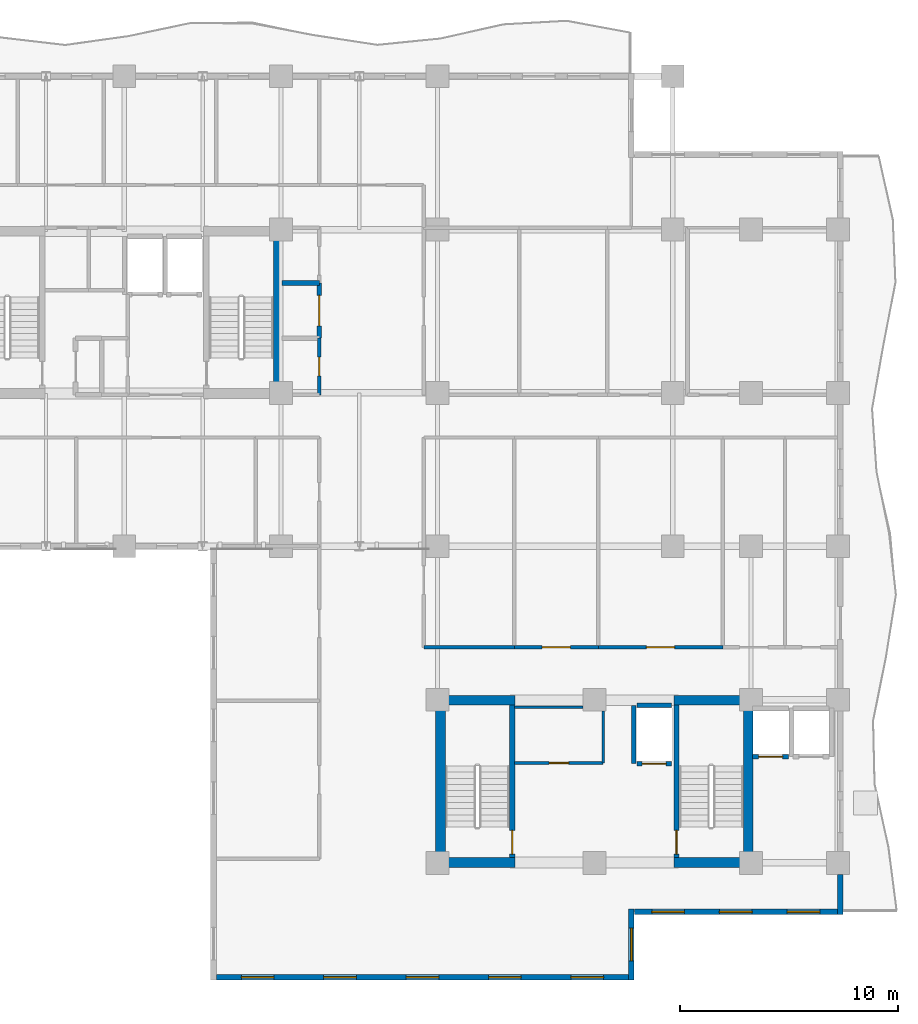
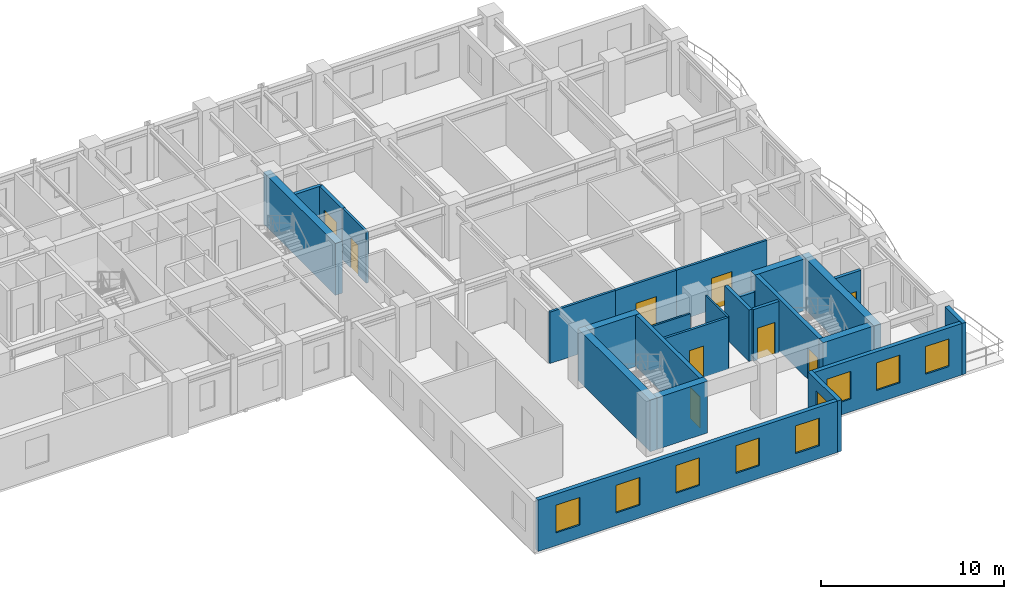
# One storey, part 6 of 13: 26 walls, 9 doors, 9 windows, 18 openings.
"""IFC4 building model written with IfcOpenShell, lengths in metres."""

from ifc_helpers import new_model, si_unit, direction, frame, frame_2d, origin, place, context, subcontext, project, spatial, rectangle, extrude, material, layer, layer_set, type_object, element, fill, save


model = new_model("IFC4")

# Units and contexts
model_context = context("Model", 3, precision=1e-05, world=origin(), true_north=direction((0.0, 1.0)))
body_context = subcontext(model_context, "Body", "Model", "MODEL_VIEW")
ifc_project = project(units=[si_unit("LENGTHUNIT", "METRE"), si_unit("AREAUNIT", "SQUARE_METRE"), si_unit("VOLUMEUNIT", "CUBIC_METRE"), si_unit("PLANEANGLEUNIT", "RADIAN"), si_unit("MASSUNIT", "GRAM", prefix="KILO")], contexts=[model_context])

# Site, building, storey
site_placement = place(None, origin())
site = spatial("IfcSite", under=ifc_project, at=site_placement, CompositionType="ELEMENT")
building_placement = place(site_placement, origin())
building = spatial("IfcBuilding", under=site, at=building_placement, Name="Kaliganga Portal Commons", CompositionType="ELEMENT")
storey_placement = place(building_placement, frame((0.0, 0.0, 173.5)))
storey = spatial("IfcBuildingStorey", under=building, at=storey_placement, Name="L44", CompositionType="ELEMENT", Elevation=173.5)

# Walls
ifc_material_1 = material(Name="Concrete C60/75", Category="concrete")
ifc_layer_1 = layer(ifc_material_1, 0.449951171875)
ifc_layer_set_1 = layer_set([ifc_layer_1], Name="Concrete C60/75")
wall_type_1 = type_object("IfcWallType", Name="WL-CORE-450", PredefinedType="SHEAR", material=ifc_layer_set_1)
wall_1_placement = place(storey_placement, frame((28.675048828125, 28.39990234375, 0.0), z_axis=(0.0, 0.0, 1.0), x_axis=(0.0, 1.0, 0.0)))
element("IfcWall", 1, at=wall_1_placement, inside=storey, type_object=wall_type_1, Name="Core A East Shear Wall L44", PredefinedType="SHEAR", context=body_context, shape_type="SweptSolid", body=[
    extrude(rectangle(XDim=7.900146484375, YDim=0.449951171875, at=frame_2d((3.9501953125, 0.0))), origin(), (0.0, 0.0, 1.0), 3.4599609375),
])
for number, where, z_axis, x_axis, name in (
    (2, (36.125, 6.85009765625, 0.0), (0.0, 0.0, 1.0), (0.0, 1.0, 0.0), "Core B West Shear Wall L44"),
    (3, (50.27490234375, 6.85009765625, 0.0), (0.0, 0.0, 1.0), (0.0, 1.0, 0.0), "Core B East Shear Wall L44"),
):
    element("IfcWall", number, at=place(storey_placement, frame(where, z_axis=z_axis, x_axis=x_axis)), inside=storey, type_object=wall_type_1, Name=name, PredefinedType="SHEAR", context=body_context, shape_type="SweptSolid", body=[
        extrude(rectangle(XDim=7.89990234375, YDim=0.449951171875, at=frame_2d((3.949951171875, 0.0))), origin(), (0.0, 0.0, 1.0), 3.4599609375),
    ])
for number, where, z_axis, x_axis, name in (
    (4, (36.35009765625, 7.074951171875, 0.0), (0.0, 0.0, 1.0), (1.0, 0.0, 0.0), "Core B S-West Shear Wall L44"),
    (5, (46.85009765625, 7.074951171875, 0.0), (0.0, 0.0, 1.0), (1.0, 0.0, 0.0), "Core B S-East Shear Wall L44"),
    (6, (36.35009765625, 14.52490234375, 0.0), (0.0, 0.0, 1.0), (1.0, 0.0, 0.0), "Core B N-West Shear Wall L44"),
    (7, (46.85009765625, 14.52490234375, 0.0), (0.0, 0.0, 1.0), (1.0, 0.0, 0.0), "Core B N-East Shear Wall L44"),
):
    element("IfcWall", number, at=place(storey_placement, frame(where, z_axis=z_axis, x_axis=x_axis)), inside=storey, type_object=wall_type_1, Name=name, PredefinedType="SHEAR", context=body_context, shape_type="SweptSolid", body=[
        extrude(rectangle(XDim=3.199951171875, YDim=0.449951171875, at=frame_2d((1.60009765625, 0.0))), origin(), (0.0, 0.0, 1.0), 3.4599609375),
    ])

# Wall, openings, windows
ifc_material_2 = material(Name="Insulated Aluminium-Clad Spandrel Assembly", Category="aluminium")
ifc_layer_2 = layer(ifc_material_2, 0.260009765625)
ifc_layer_set_2 = layer_set([ifc_layer_2], Name="Insulated Aluminium-Clad Spandrel Assembly")
wall_type_2 = type_object("IfcWallType", Name="WL-EXT-SPAND-260", PredefinedType="STANDARD", material=ifc_layer_set_2)
wall_2_placement = place(storey_placement, frame((44.764892578125, 1.800048828125, 0.0), z_axis=(0.0, 0.0, 1.0), x_axis=(-1.0, 0.0, 0.0)))
wall_2 = element("IfcWall", 8, at=wall_2_placement, inside=storey, type_object=wall_type_2, Name="Exterior Envelope Wall L44 P1-E00-S1", PredefinedType="STANDARD", context=body_context, shape_type="SweptSolid", body=[
    extrude(rectangle(XDim=18.929931640625, YDim=0.260009765625, at=frame_2d((9.46484375, 0.0))), origin(), (0.0, 0.0, 1.0), 3.43994140625),
])
opening_1_placement = place(wall_2_placement, frame((1.14306640625, 0.0, 0.85009765625)))
opening_1 = element("IfcOpeningElement", 9, at=opening_1_placement, cuts=wall_2, Name="Opening W-02", PredefinedType="OPENING", context=body_context, shape_type="SweptSolid", body=[
    extrude(rectangle(XDim=1.5, YDim=1.85009765625, at=frame_2d((0.75, 0.925048828125))), frame((0.0, 0.14013671875, 0.0), z_axis=(0.0, -1.0, 0.0), x_axis=(1.0, 0.0, 0.0)), (0.0, 0.0, 1.0), 0.280029296875),
])
opening_2_placement = place(wall_2_placement, frame((4.928955078125, 0.0, 0.85009765625)))
opening_2 = element("IfcOpeningElement", 10, at=opening_2_placement, cuts=wall_2, Name="Opening W-02", PredefinedType="OPENING", context=body_context, shape_type="SweptSolid", body=[
    extrude(rectangle(XDim=1.5, YDim=1.85009765625, at=frame_2d((0.75, 0.925048828125))), frame((0.0, 0.14013671875, 0.0), z_axis=(0.0, -1.0, 0.0), x_axis=(1.0, 0.0, 0.0)), (0.0, 0.0, 1.0), 0.280029296875),
])
opening_3_placement = place(wall_2_placement, frame((8.715087890625, 0.0, 0.85009765625)))
opening_3 = element("IfcOpeningElement", 11, at=opening_3_placement, cuts=wall_2, Name="Opening W-02", PredefinedType="OPENING", context=body_context, shape_type="SweptSolid", body=[
    extrude(rectangle(XDim=1.5, YDim=1.85009765625, at=frame_2d((0.75, 0.925048828125))), frame((0.0, 0.14013671875, 0.0), z_axis=(0.0, -1.0, 0.0), x_axis=(1.0, 0.0, 0.0)), (0.0, 0.0, 1.0), 0.280029296875),
])
opening_4_placement = place(wall_2_placement, frame((12.5009765625, 0.0, 0.85009765625)))
opening_4 = element("IfcOpeningElement", 12, at=opening_4_placement, cuts=wall_2, Name="Opening W-02", PredefinedType="OPENING", context=body_context, shape_type="SweptSolid", body=[
    extrude(rectangle(XDim=1.5, YDim=1.85009765625, at=frame_2d((0.75, 0.925048828125))), frame((0.0, 0.14013671875, 0.0), z_axis=(0.0, -1.0, 0.0), x_axis=(1.0, 0.0, 0.0)), (0.0, 0.0, 1.0), 0.280029296875),
])
opening_5_placement = place(wall_2_placement, frame((16.287109375, 0.0, 0.85009765625)))
opening_5 = element("IfcOpeningElement", 13, at=opening_5_placement, cuts=wall_2, Name="Opening W-02", PredefinedType="OPENING", context=body_context, shape_type="SweptSolid", body=[
    extrude(rectangle(XDim=1.5, YDim=1.85009765625, at=frame_2d((0.75, 0.925048828125))), frame((0.0, 0.14013671875, 0.0), z_axis=(0.0, -1.0, 0.0), x_axis=(1.0, 0.0, 0.0)), (0.0, 0.0, 1.0), 0.280029296875),
])
ifc_material_3 = material(Name="Thermally Broken Aluminium and Low-E Double Glazing", Category="aluminium")
window_type = type_object("IfcWindowType", Name="WIN-STD-1500", PartitioningType="DOUBLE_PANEL_VERTICAL", PredefinedType="WINDOW", material=ifc_material_3)
window_1_placement = place(opening_1_placement, origin())
window_1 = element("IfcWindow", 14, at=window_1_placement, inside=storey, type_object=window_type, Name="Facade Window L44-P1E00S1-00", OverallHeight=1.85009765625, OverallWidth=1.5, PartitioningType="SINGLE_PANEL", PredefinedType="WINDOW", context=body_context, shape_type="SweptSolid", body=[
    extrude(rectangle(XDim=1.5, YDim=1.85009765625, at=frame_2d((0.75, 0.925048828125))), frame((0.0, 0.030029296875, 0.0), z_axis=(0.0, -1.0, 0.0), x_axis=(1.0, 0.0, 0.0)), (0.0, 0.0, 1.0), 0.06005859375),
])
fill(opening_1, window_1)
window_2_placement = place(opening_2_placement, origin())
window_2 = element("IfcWindow", 15, at=window_2_placement, inside=storey, type_object=window_type, Name="Facade Window L44-P1E00S1-01", OverallHeight=1.85009765625, OverallWidth=1.5, PartitioningType="SINGLE_PANEL", PredefinedType="WINDOW", context=body_context, shape_type="SweptSolid", body=[
    extrude(rectangle(XDim=1.5, YDim=1.85009765625, at=frame_2d((0.75, 0.925048828125))), frame((0.0, 0.030029296875, 0.0), z_axis=(0.0, -1.0, 0.0), x_axis=(1.0, 0.0, 0.0)), (0.0, 0.0, 1.0), 0.06005859375),
])
fill(opening_2, window_2)
window_3_placement = place(opening_3_placement, origin())
window_3 = element("IfcWindow", 16, at=window_3_placement, inside=storey, type_object=window_type, Name="Facade Window L44-P1E00S1-02", OverallHeight=1.85009765625, OverallWidth=1.5, PartitioningType="SINGLE_PANEL", PredefinedType="WINDOW", context=body_context, shape_type="SweptSolid", body=[
    extrude(rectangle(XDim=1.5, YDim=1.85009765625, at=frame_2d((0.75, 0.925048828125))), frame((0.0, 0.030029296875, 0.0), z_axis=(0.0, -1.0, 0.0), x_axis=(1.0, 0.0, 0.0)), (0.0, 0.0, 1.0), 0.06005859375),
])
fill(opening_3, window_3)
window_4_placement = place(opening_4_placement, origin())
window_4 = element("IfcWindow", 17, at=window_4_placement, inside=storey, type_object=window_type, Name="Facade Window L44-P1E00S1-03", OverallHeight=1.85009765625, OverallWidth=1.5, PartitioningType="SINGLE_PANEL", PredefinedType="WINDOW", context=body_context, shape_type="SweptSolid", body=[
    extrude(rectangle(XDim=1.5, YDim=1.85009765625, at=frame_2d((0.75, 0.925048828125))), frame((0.0, 0.030029296875, 0.0), z_axis=(0.0, -1.0, 0.0), x_axis=(1.0, 0.0, 0.0)), (0.0, 0.0, 1.0), 0.06005859375),
])
fill(opening_4, window_4)
window_5_placement = place(opening_5_placement, origin())
window_5 = element("IfcWindow", 18, at=window_5_placement, inside=storey, type_object=window_type, Name="Facade Window L44-P1E00S1-04", OverallHeight=1.85009765625, OverallWidth=1.5, PartitioningType="SINGLE_PANEL", PredefinedType="WINDOW", context=body_context, shape_type="SweptSolid", body=[
    extrude(rectangle(XDim=1.5, YDim=1.85009765625, at=frame_2d((0.75, 0.925048828125))), frame((0.0, 0.030029296875, 0.0), z_axis=(0.0, -1.0, 0.0), x_axis=(1.0, 0.0, 0.0)), (0.0, 0.0, 1.0), 0.06005859375),
])
fill(opening_5, window_5)

# Wall, opening, window
wall_3_placement = place(storey_placement, frame((44.89990234375, 4.929931640625, 0.0), z_axis=(0.0, 0.0, 1.0), x_axis=(0.0, -1.0, 0.0)))
wall_3 = element("IfcWall", 19, at=wall_3_placement, inside=storey, type_object=wall_type_2, Name="Exterior Envelope Wall L44 P1-E01-S1", PredefinedType="STANDARD", context=body_context, shape_type="SweptSolid", body=[
    extrude(rectangle(XDim=3.260009765625, YDim=0.260009765625, at=frame_2d((1.6298828125, 0.0))), origin(), (0.0, 0.0, 1.0), 3.43994140625),
])
opening_6_placement = place(wall_3_placement, frame((0.8798828125, 0.0, 0.85009765625)))
opening_6 = element("IfcOpeningElement", 20, at=opening_6_placement, cuts=wall_3, Name="Opening W-02", PredefinedType="OPENING", context=body_context, shape_type="SweptSolid", body=[
    extrude(rectangle(XDim=1.5, YDim=1.85009765625, at=frame_2d((0.75, 0.925048828125))), frame((0.0, 0.14013671875, 0.0), z_axis=(0.0, -1.0, 0.0), x_axis=(1.0, 0.0, 0.0)), (0.0, 0.0, 1.0), 0.280029296875),
])
window_6_placement = place(opening_6_placement, origin())
window_6 = element("IfcWindow", 21, at=window_6_placement, inside=storey, type_object=window_type, Name="Facade Window L44-P1E01S1-00", OverallHeight=1.85009765625, OverallWidth=1.5, PartitioningType="SINGLE_PANEL", PredefinedType="WINDOW", context=body_context, shape_type="SweptSolid", body=[
    extrude(rectangle(XDim=1.5, YDim=1.85009765625, at=frame_2d((0.75, 0.925048828125))), frame((0.0, 0.030029296875, 0.0), z_axis=(0.0, -1.0, 0.0), x_axis=(1.0, 0.0, 0.0)), (0.0, 0.0, 1.0), 0.06005859375),
])
fill(opening_6, window_6)

# Wall, openings, windows
wall_4_placement = place(storey_placement, frame((54.364990234375, 4.800048828125, 0.0), z_axis=(0.0, 0.0, 1.0), x_axis=(-1.0, 0.0, 0.0)))
wall_4 = element("IfcWall", 22, at=wall_4_placement, inside=storey, type_object=wall_type_2, Name="Exterior Envelope Wall L44 P1-E02-S1", PredefinedType="STANDARD", context=body_context, shape_type="SweptSolid", body=[
    extrude(rectangle(XDim=9.330078125, YDim=0.260009765625, at=frame_2d((4.6650390625, 0.0))), origin(), (0.0, 0.0, 1.0), 3.43994140625),
])
opening_7_placement = place(wall_4_placement, frame((0.804931640625, 0.0, 0.85009765625)))
opening_7 = element("IfcOpeningElement", 23, at=opening_7_placement, cuts=wall_4, Name="Opening W-02", PredefinedType="OPENING", context=body_context, shape_type="SweptSolid", body=[
    extrude(rectangle(XDim=1.5, YDim=1.85009765625, at=frame_2d((0.75, 0.925048828125))), frame((0.0, 0.14013671875, 0.0), z_axis=(0.0, -1.0, 0.0), x_axis=(1.0, 0.0, 0.0)), (0.0, 0.0, 1.0), 0.280029296875),
])
opening_8_placement = place(wall_4_placement, frame((3.9150390625, 0.0, 0.85009765625)))
opening_8 = element("IfcOpeningElement", 24, at=opening_8_placement, cuts=wall_4, Name="Opening W-02", PredefinedType="OPENING", context=body_context, shape_type="SweptSolid", body=[
    extrude(rectangle(XDim=1.5, YDim=1.85009765625, at=frame_2d((0.75, 0.925048828125))), frame((0.0, 0.14013671875, 0.0), z_axis=(0.0, -1.0, 0.0), x_axis=(1.0, 0.0, 0.0)), (0.0, 0.0, 1.0), 0.280029296875),
])
opening_9_placement = place(wall_4_placement, frame((7.02490234375, 0.0, 0.85009765625)))
opening_9 = element("IfcOpeningElement", 25, at=opening_9_placement, cuts=wall_4, Name="Opening W-02", PredefinedType="OPENING", context=body_context, shape_type="SweptSolid", body=[
    extrude(rectangle(XDim=1.5, YDim=1.85009765625, at=frame_2d((0.75, 0.925048828125))), frame((0.0, 0.14013671875, 0.0), z_axis=(0.0, -1.0, 0.0), x_axis=(1.0, 0.0, 0.0)), (0.0, 0.0, 1.0), 0.280029296875),
])
window_7_placement = place(opening_7_placement, origin())
window_7 = element("IfcWindow", 26, at=window_7_placement, inside=storey, type_object=window_type, Name="Facade Window L44-P1E02S1-00", OverallHeight=1.85009765625, OverallWidth=1.5, PartitioningType="SINGLE_PANEL", PredefinedType="WINDOW", context=body_context, shape_type="SweptSolid", body=[
    extrude(rectangle(XDim=1.5, YDim=1.85009765625, at=frame_2d((0.75, 0.925048828125))), frame((0.0, 0.030029296875, 0.0), z_axis=(0.0, -1.0, 0.0), x_axis=(1.0, 0.0, 0.0)), (0.0, 0.0, 1.0), 0.06005859375),
])
fill(opening_7, window_7)
window_8_placement = place(opening_8_placement, origin())
window_8 = element("IfcWindow", 27, at=window_8_placement, inside=storey, type_object=window_type, Name="Facade Window L44-P1E02S1-01", OverallHeight=1.85009765625, OverallWidth=1.5, PartitioningType="SINGLE_PANEL", PredefinedType="WINDOW", context=body_context, shape_type="SweptSolid", body=[
    extrude(rectangle(XDim=1.5, YDim=1.85009765625, at=frame_2d((0.75, 0.925048828125))), frame((0.0, 0.030029296875, 0.0), z_axis=(0.0, -1.0, 0.0), x_axis=(1.0, 0.0, 0.0)), (0.0, 0.0, 1.0), 0.06005859375),
])
fill(opening_8, window_8)
window_9_placement = place(opening_9_placement, origin())
window_9 = element("IfcWindow", 28, at=window_9_placement, inside=storey, type_object=window_type, Name="Facade Window L44-P1E02S1-02", OverallHeight=1.85009765625, OverallWidth=1.5, PartitioningType="SINGLE_PANEL", PredefinedType="WINDOW", context=body_context, shape_type="SweptSolid", body=[
    extrude(rectangle(XDim=1.5, YDim=1.85009765625, at=frame_2d((0.75, 0.925048828125))), frame((0.0, 0.030029296875, 0.0), z_axis=(0.0, -1.0, 0.0), x_axis=(1.0, 0.0, 0.0)), (0.0, 0.0, 1.0), 0.06005859375),
])
fill(opening_9, window_9)

# Wall
wall_5_placement = place(storey_placement, frame((54.5, 6.52392578125, 0.0), z_axis=(0.0, 0.0, 1.0), x_axis=(0.0, -1.0, 0.0)))
element("IfcWall", 29, at=wall_5_placement, inside=storey, type_object=wall_type_2, Name="Exterior Envelope Wall L44 P1-E03-S1", PredefinedType="STANDARD", context=body_context, shape_type="SweptSolid", body=[
    extrude(rectangle(XDim=1.85400390625, YDim=0.260009765625, at=frame_2d((0.927001953125, 0.0))), origin(), (0.0, 0.0, 1.0), 3.43994140625),
])

# Wall, opening, door
ifc_material_4 = material(Name="Fire-Rated Gypsum Board on Steel Stud", Category="steel")
ifc_layer_3 = layer(ifc_material_4, 0.14990234375)
ifc_layer_set_3 = layer_set([ifc_layer_3], Name="Fire-Rated Gypsum Board on Steel Stud")
wall_type_3 = type_object("IfcWallType", Name="WL-PART-CORR-150", PredefinedType="PARTITIONING", material=ifc_layer_set_3)
wall_6_placement = place(storey_placement, frame((43.3798828125, 16.9599609375, 0.0), z_axis=(0.0, 0.0, 1.0), x_axis=(1.0, 0.0, 0.0)))
wall_6 = element("IfcWall", 30, at=wall_6_placement, inside=storey, type_object=wall_type_3, Name="Interior Partition L44-017", PredefinedType="PARTITIONING", context=body_context, shape_type="SweptSolid", body=[
    extrude(rectangle(XDim=5.72021484375, YDim=0.14990234375, at=frame_2d((2.860107421875, 0.0))), origin(), (0.0, 0.0, 1.0), 3.43994140625),
])
opening_10_placement = place(wall_6_placement, frame((2.2099609375, 0.0, 0.0)))
opening_10 = element("IfcOpeningElement", 31, at=opening_10_placement, cuts=wall_6, Name="Opening RD-03", PredefinedType="OPENING", context=body_context, shape_type="SweptSolid", body=[
    extrude(rectangle(XDim=1.300048828125, YDim=2.1201171875, at=frame_2d((0.64990234375, 1.06005859375))), frame((0.0, 0.0849609375, 0.0), z_axis=(0.0, -1.0, 0.0), x_axis=(1.0, 0.0, 0.0)), (0.0, 0.0, 1.0), 0.169921875),
])
ifc_material_5 = material(Name="Glazed Timber Seminar Vision Door", Category="wood")
door_type_1 = type_object("IfcDoorType", Name="DR-STUDY-1300", OperationType="DOUBLE_DOOR_SINGLE_SWING", PredefinedType="DOOR", material=ifc_material_5)
door_1_placement = place(opening_10_placement, origin())
door_1 = element("IfcDoor", 32, at=door_1_placement, inside=storey, type_object=door_type_1, Name="Interior Door L44-BM03", OperationType="DOUBLE_DOOR_SINGLE_SWING", OverallHeight=2.1201171875, OverallWidth=1.300048828125, PredefinedType="DOOR", context=body_context, shape_type="SweptSolid", body=[
    extrude(rectangle(XDim=1.300048828125, YDim=2.1201171875, at=frame_2d((0.64990234375, 1.06005859375))), frame((0.0, 0.02490234375, 0.0), z_axis=(0.0, -1.0, 0.0), x_axis=(1.0, 0.0, 0.0)), (0.0, 0.0, 1.0), 0.050048828125),
])
fill(opening_10, door_1)

# Wall
wall_7_placement = place(storey_placement, frame((35.360107421875, 16.9599609375, 0.0), z_axis=(0.0, 0.0, 1.0), x_axis=(1.0, 0.0, 0.0)))
element("IfcWall", 33, at=wall_7_placement, inside=storey, type_object=wall_type_3, Name="Interior Partition L44-025", PredefinedType="PARTITIONING", context=body_context, shape_type="SweptSolid", body=[
    extrude(rectangle(XDim=4.159912109375, YDim=0.14990234375, at=frame_2d((2.080078125, 0.0))), origin(), (0.0, 0.0, 1.0), 3.43994140625),
])

# Wall, opening, door
wall_8_placement = place(storey_placement, frame((39.5400390625, 11.639892578125, 0.0), z_axis=(0.0, 0.0, 1.0), x_axis=(1.0, 0.0, 0.0)))
wall_8 = element("IfcWall", 34, at=wall_8_placement, inside=storey, type_object=wall_type_3, Name="Interior Partition L44-027", PredefinedType="PARTITIONING", context=body_context, shape_type="SweptSolid", body=[
    extrude(rectangle(XDim=4.06005859375, YDim=0.14990234375, at=frame_2d((2.030029296875, 0.0))), origin(), (0.0, 0.0, 1.0), 3.43994140625),
])
opening_11_placement = place(wall_8_placement, frame((1.580078125, 0.0, 0.0)))
opening_11 = element("IfcOpeningElement", 35, at=opening_11_placement, cuts=wall_8, Name="Opening RD-01", PredefinedType="OPENING", context=body_context, shape_type="SweptSolid", body=[
    extrude(rectangle(XDim=0.89990234375, YDim=2.080078125, at=frame_2d((0.449951171875, 1.0400390625))), frame((0.0, 0.0849609375, 0.0), z_axis=(0.0, -1.0, 0.0), x_axis=(1.0, 0.0, 0.0)), (0.0, 0.0, 1.0), 0.169921875),
])
ifc_material_6 = material(Name="Engineered Timber Flush Door", Category="wood")
door_type_2 = type_object("IfcDoorType", Name="DR-ROOM-900", OperationType="NOTDEFINED", PredefinedType="DOOR", material=ifc_material_6)
door_2_placement = place(opening_11_placement, origin())
door_2 = element("IfcDoor", 36, at=door_2_placement, inside=storey, type_object=door_type_2, Name="Interior Door L44-CREC_B1", OperationType="SINGLE_SWING_LEFT", OverallHeight=2.080078125, OverallWidth=0.89990234375, PredefinedType="DOOR", context=body_context, shape_type="SweptSolid", body=[
    extrude(rectangle(XDim=0.89990234375, YDim=2.080078125, at=frame_2d((0.449951171875, 1.0400390625))), frame((0.0, 0.02490234375, 0.0), z_axis=(0.0, -1.0, 0.0), x_axis=(1.0, 0.0, 0.0)), (0.0, 0.0, 1.0), 0.050048828125),
])
fill(opening_11, door_2)

wall_9_placement = place(storey_placement, frame((39.52001953125, 16.9599609375, 0.0), z_axis=(0.0, 0.0, 1.0), x_axis=(1.0, 0.0, 0.0)))
wall_9 = element("IfcWall", 37, at=wall_9_placement, inside=storey, type_object=wall_type_3, Name="Interior Partition L44-030", PredefinedType="PARTITIONING", context=body_context, shape_type="SweptSolid", body=[
    extrude(rectangle(XDim=3.85986328125, YDim=0.14990234375, at=frame_2d((1.929931640625, 0.0))), origin(), (0.0, 0.0, 1.0), 3.43994140625),
])
opening_12_placement = place(wall_9_placement, frame((1.280029296875, 0.0, 0.0)))
opening_12 = element("IfcOpeningElement", 38, at=opening_12_placement, cuts=wall_9, Name="Opening RD-03", PredefinedType="OPENING", context=body_context, shape_type="SweptSolid", body=[
    extrude(rectangle(XDim=1.300048828125, YDim=2.1201171875, at=frame_2d((0.64990234375, 1.06005859375))), frame((0.0, 0.0849609375, 0.0), z_axis=(0.0, -1.0, 0.0), x_axis=(1.0, 0.0, 0.0)), (0.0, 0.0, 1.0), 0.169921875),
])
door_3_placement = place(opening_12_placement, origin())
door_3 = element("IfcDoor", 39, at=door_3_placement, inside=storey, type_object=door_type_1, Name="Interior Door L44-BM02", OperationType="DOUBLE_DOOR_SINGLE_SWING", OverallHeight=2.1201171875, OverallWidth=1.300048828125, PredefinedType="DOOR", context=body_context, shape_type="SweptSolid", body=[
    extrude(rectangle(XDim=1.300048828125, YDim=2.1201171875, at=frame_2d((0.64990234375, 1.06005859375))), frame((0.0, 0.02490234375, 0.0), z_axis=(0.0, -1.0, 0.0), x_axis=(1.0, 0.0, 0.0)), (0.0, 0.0, 1.0), 0.050048828125),
])
fill(opening_12, door_3)

wall_10_placement = place(storey_placement, frame((30.56005859375, 28.56005859375, 0.0), z_axis=(0.0, 0.0, 1.0), x_axis=(0.0, 1.0, 0.0)))
wall_10 = element("IfcWall", 40, at=wall_10_placement, inside=storey, type_object=wall_type_3, Name="Interior Partition L44-042", PredefinedType="PARTITIONING", context=body_context, shape_type="SweptSolid", body=[
    extrude(rectangle(XDim=2.599853515625, YDim=0.14990234375, at=frame_2d((1.2998046875, 0.0))), origin(), (0.0, 0.0, 1.0), 3.43994140625),
])
opening_13_placement = place(wall_10_placement, frame((0.8701171875, 0.0, 0.0)))
opening_13 = element("IfcOpeningElement", 41, at=opening_13_placement, cuts=wall_10, Name="Opening WD-02", PredefinedType="OPENING", context=body_context, shape_type="SweptSolid", body=[
    extrude(rectangle(XDim=0.860107421875, YDim=2.02001953125, at=frame_2d((0.43017578125, 1.010009765625))), frame((0.0, 0.0849609375, 0.0), z_axis=(0.0, -1.0, 0.0), x_axis=(1.0, 0.0, 0.0)), (0.0, 0.0, 1.0), 0.169921875),
])
ifc_material_7 = material(Name="Fire-Rated Utility Closet Door", Category="wood")
door_type_3 = type_object("IfcDoorType", Name="DR-STORE-800", OperationType="NOTDEFINED", PredefinedType="DOOR", material=ifc_material_7)
door_4_placement = place(opening_13_placement, origin())
door_4 = element("IfcDoor", 42, at=door_4_placement, inside=storey, type_object=door_type_3, Name="Interior Door L44-CSRV_A1", OperationType="SINGLE_SWING_RIGHT", OverallHeight=2.02001953125, OverallWidth=0.860107421875, PredefinedType="DOOR", context=body_context, shape_type="SweptSolid", body=[
    extrude(rectangle(XDim=0.860107421875, YDim=2.02001953125, at=frame_2d((0.43017578125, 1.010009765625))), frame((0.0, 0.02490234375, 0.0), z_axis=(0.0, -1.0, 0.0), x_axis=(1.0, 0.0, 0.0)), (0.0, 0.0, 1.0), 0.050048828125),
])
fill(opening_13, door_4)

ifc_material_8 = material(Name="Lightweight blockwork masonry", Category="masonry")
ifc_layer_4 = layer(ifc_material_8, 0.215087890625)
ifc_layer_set_4 = layer_set([ifc_layer_4], Name="Lightweight blockwork masonry")
wall_type_4 = type_object("IfcWallType", Name="WL-PART-PLANT-215", PredefinedType="PARTITIONING", material=ifc_layer_set_4)
wall_11_placement = place(storey_placement, frame((30.56005859375, 31.159912109375, 0.0), z_axis=(0.0, 0.0, 1.0), x_axis=(0.0, 1.0, 0.0)))
wall_11 = element("IfcWall", 43, at=wall_11_placement, inside=storey, type_object=wall_type_4, Name="Interior Partition L44-043", PredefinedType="PARTITIONING", context=body_context, shape_type="SweptSolid", body=[
    extrude(rectangle(XDim=2.5400390625, YDim=0.215087890625, at=frame_2d((1.27001953125, 0.0))), origin(), (0.0, 0.0, 1.0), 3.43994140625),
])
opening_14_placement = place(wall_11_placement, frame((0.570068359375, 0.0, 0.0)))
opening_14 = element("IfcOpeningElement", 44, at=opening_14_placement, cuts=wall_11, Name="Opening PD-01", PredefinedType="OPENING", context=body_context, shape_type="SweptSolid", body=[
    extrude(rectangle(XDim=1.39990234375, YDim=2.14990234375, at=frame_2d((0.699951171875, 1.074951171875))), frame((0.0, 0.11767578125, 0.0), z_axis=(0.0, -1.0, 0.0), x_axis=(1.0, 0.0, 0.0)), (0.0, 0.0, 1.0), 0.235107421875),
])
ifc_material_9 = material(Name="Heavy-Duty Steel Acoustic Louvre Fire Door", Category="steel")
door_type_4 = type_object("IfcDoorType", Name="DR-PLANT-1400", OperationType="DOUBLE_DOOR_SINGLE_SWING", PredefinedType="DOOR", material=ifc_material_9)
door_5_placement = place(opening_14_placement, origin())
door_5 = element("IfcDoor", 45, at=door_5_placement, inside=storey, type_object=door_type_4, Name="Interior Door L44-CSRV_A3", OperationType="DOUBLE_DOOR_SINGLE_SWING", OverallHeight=2.14990234375, OverallWidth=1.39990234375, PredefinedType="DOOR", context=body_context, shape_type="SweptSolid", body=[
    extrude(rectangle(XDim=1.39990234375, YDim=2.14990234375, at=frame_2d((0.699951171875, 1.074951171875))), frame((0.0, 0.02490234375, 0.0), z_axis=(0.0, -1.0, 0.0), x_axis=(1.0, 0.0, 0.0)), (0.0, 0.0, 1.0), 0.050048828125),
])
fill(opening_14, door_5)

# Walls
wall_12_placement = place(storey_placement, frame((28.840087890625, 33.699951171875, 0.0), z_axis=(0.0, 0.0, 1.0), x_axis=(1.0, 0.0, 0.0)))
element("IfcWall", 46, at=wall_12_placement, inside=storey, type_object=wall_type_4, Name="Interior Partition L44-093", PredefinedType="PARTITIONING", context=body_context, shape_type="SweptSolid", body=[
    extrude(rectangle(XDim=1.719970703125, YDim=0.215087890625, at=frame_2d((0.85986328125, 0.0))), origin(), (0.0, 0.0, 1.0), 3.43994140625),
])
ifc_material_10 = material(Name="Moisture-Resistant Gypsum Partition", Category="gypsum")
ifc_layer_5 = layer(ifc_material_10, 0.114990234375)
ifc_layer_set_5 = layer_set([ifc_layer_5], Name="Moisture-Resistant Gypsum Partition")
wall_type_5 = type_object("IfcWallType", Name="WL-PART-ROOM-115", PredefinedType="PARTITIONING", material=ifc_layer_set_5)
wall_13_placement = place(storey_placement, frame((39.5400390625, 14.199951171875, 0.0), z_axis=(0.0, 0.0, 1.0), x_axis=(1.0, 0.0, 0.0)))
element("IfcWall", 47, at=wall_13_placement, inside=storey, type_object=wall_type_5, Name="Interior Partition L44-081", PredefinedType="PARTITIONING", context=body_context, shape_type="SweptSolid", body=[
    extrude(rectangle(XDim=3.135009765625, YDim=0.114990234375, at=frame_2d((1.5673828125, 0.0))), origin(), (0.0, 0.0, 1.0), 2.43994140625),
])
wall_14_placement = place(storey_placement, frame((43.60009765625, 11.639892578125, 0.0), z_axis=(0.0, 0.0, 1.0), x_axis=(0.0, 1.0, 0.0)))
element("IfcWall", 48, at=wall_14_placement, inside=storey, type_object=wall_type_5, Name="Interior Partition L44-089", PredefinedType="PARTITIONING", context=body_context, shape_type="SweptSolid", body=[
    extrude(rectangle(XDim=2.385009765625, YDim=0.114990234375, at=frame_2d((1.1923828125, 0.0))), origin(), (0.0, 0.0, 1.0), 3.43994140625),
])

# Wall, opening, door
ifc_material_11 = material(Name="Fire-Rated Shaftwall Masonry Assembly", Category="masonry")
ifc_layer_6 = layer(ifc_material_11, 0.199951171875)
ifc_layer_set_6 = layer_set([ifc_layer_6], Name="Fire-Rated Shaftwall Masonry Assembly")
wall_type_6 = type_object("IfcWallType", Name="WL-SHAFT-200", PredefinedType="PARTITIONING", material=ifc_layer_set_6)
wall_15_placement = place(storey_placement, frame((50.47509765625, 11.93505859375, 0.0), z_axis=(0.0, 0.0, 1.0), x_axis=(1.0, 0.0, 0.0)))
wall_15 = element("IfcWall", 49, at=wall_15_placement, inside=storey, type_object=wall_type_6, Name="Lift PL-B3 Hoistway Shaft Wall L44-S", PredefinedType="PARTITIONING", context=body_context, shape_type="SweptSolid", body=[
    extrude(rectangle(XDim=1.64990234375, YDim=0.199951171875, at=frame_2d((0.824951171875, 0.0))), origin(), (0.0, 0.0, 1.0), 3.43994140625),
])
opening_15_placement = place(wall_15_placement, frame((0.27490234375, 0.0, 0.0)))
opening_15 = element("IfcOpeningElement", 50, at=opening_15_placement, cuts=wall_15, Name="Opening LD-01", PredefinedType="OPENING", context=body_context, shape_type="SweptSolid", body=[
    extrude(rectangle(XDim=1.10009765625, YDim=2.1201171875, at=frame_2d((0.550048828125, 1.06005859375))), frame((0.0, 0.10986328125, 0.0), z_axis=(0.0, -1.0, 0.0), x_axis=(1.0, 0.0, 0.0)), (0.0, 0.0, 1.0), 0.219970703125),
])
ifc_material_12 = material(Name="Brushed Stainless Steel 316 Lift Landing Door", Category="steel")
door_type_5 = type_object("IfcDoorType", Name="DR-LIFT-1100", OperationType="SLIDING_TO_LEFT", PredefinedType="DOOR", material=ifc_material_12)
door_6_placement = place(opening_15_placement, origin())
door_6 = element("IfcDoor", 51, at=door_6_placement, inside=storey, type_object=door_type_5, Name="Lift PL-B3 Sliding Landing Door L44", OperationType="SLIDING_TO_LEFT", OverallHeight=2.1201171875, OverallWidth=1.10009765625, PredefinedType="DOOR", context=body_context, shape_type="SweptSolid", body=[
    extrude(rectangle(XDim=1.10009765625, YDim=2.1201171875, at=frame_2d((0.550048828125, 1.06005859375))), frame((0.0, 0.02490234375, 0.0), z_axis=(0.0, -1.0, 0.0), x_axis=(1.0, 0.0, 0.0)), (0.0, 0.0, 1.0), 0.050048828125),
])
fill(opening_15, door_6)

wall_16_placement = place(storey_placement, frame((45.14990234375, 11.610107421875, 0.0), z_axis=(0.0, 0.0, 1.0), x_axis=(1.0, 0.0, 0.0)))
wall_16 = element("IfcWall", 52, at=wall_16_placement, inside=storey, type_object=wall_type_6, Name="Lift SL-B1 Hoistway Shaft Wall L44-S", PredefinedType="PARTITIONING", context=body_context, shape_type="SweptSolid", body=[
    extrude(rectangle(XDim=1.60009765625, YDim=0.199951171875, at=frame_2d((0.800048828125, 0.0))), origin(), (0.0, 0.0, 1.0), 3.43994140625),
])
opening_16_placement = place(wall_16_placement, frame((0.25, 0.0, 0.0)))
opening_16 = element("IfcOpeningElement", 53, at=opening_16_placement, cuts=wall_16, Name="Opening LD-01", PredefinedType="OPENING", context=body_context, shape_type="SweptSolid", body=[
    extrude(rectangle(XDim=1.10009765625, YDim=2.1201171875, at=frame_2d((0.550048828125, 1.06005859375))), frame((0.0, 0.10986328125, 0.0), z_axis=(0.0, -1.0, 0.0), x_axis=(1.0, 0.0, 0.0)), (0.0, 0.0, 1.0), 0.219970703125),
])
door_7_placement = place(opening_16_placement, origin())
door_7 = element("IfcDoor", 54, at=door_7_placement, inside=storey, type_object=door_type_5, Name="Lift SL-B1 Sliding Landing Door L44", OperationType="SLIDING_TO_LEFT", OverallHeight=2.1201171875, OverallWidth=1.10009765625, PredefinedType="DOOR", context=body_context, shape_type="SweptSolid", body=[
    extrude(rectangle(XDim=1.10009765625, YDim=2.1201171875, at=frame_2d((0.550048828125, 1.06005859375))), frame((0.0, 0.02490234375, 0.0), z_axis=(0.0, -1.0, 0.0), x_axis=(1.0, 0.0, 0.0)), (0.0, 0.0, 1.0), 0.050048828125),
])
fill(opening_16, door_7)

# Walls
wall_17_placement = place(storey_placement, frame((45.14990234375, 14.2900390625, 0.0), z_axis=(0.0, 0.0, 1.0), x_axis=(1.0, 0.0, 0.0)))
element("IfcWall", 55, at=wall_17_placement, inside=storey, type_object=wall_type_6, Name="Lift SL-B1 Hoistway Shaft Wall L44-N", PredefinedType="PARTITIONING", context=body_context, shape_type="SweptSolid", body=[
    extrude(rectangle(XDim=1.60009765625, YDim=0.199951171875, at=frame_2d((0.800048828125, 0.0))), origin(), (0.0, 0.0, 1.0), 2.43994140625),
])
wall_18_placement = place(storey_placement, frame((45.010009765625, 11.610107421875, 0.0), z_axis=(0.0, 0.0, 1.0), x_axis=(0.0, 1.0, 0.0)))
element("IfcWall", 56, at=wall_18_placement, inside=storey, type_object=wall_type_6, Name="Lift SL-B1 Hoistway Shaft Wall L44-W", PredefinedType="PARTITIONING", context=body_context, shape_type="SweptSolid", body=[
    extrude(rectangle(XDim=2.679931640625, YDim=0.199951171875, at=frame_2d((1.33984375, 0.0))), origin(), (0.0, 0.0, 1.0), 3.43994140625),
])

# Wall, opening, door
ifc_material_13 = material(Name="Concrete C50/60", Category="concrete")
ifc_layer_7 = layer(ifc_material_13, 0.25)
ifc_layer_set_7 = layer_set([ifc_layer_7], Name="Concrete C50/60")
wall_type_7 = type_object("IfcWallType", Name="WL-STAIR-250", PredefinedType="SHEAR", material=ifc_layer_set_7)
wall_19_placement = place(storey_placement, frame((39.425048828125, 7.300048828125, 0.0), z_axis=(0.0, 0.0, 1.0), x_axis=(0.0, 1.0, 0.0)))
wall_19 = element("IfcWall", 57, at=wall_19_placement, inside=storey, type_object=wall_type_7, Name="Stair B1 Enclosure Shear Wall L44", PredefinedType="SHEAR", context=body_context, shape_type="SweptSolid", body=[
    extrude(rectangle(XDim=7.0, YDim=0.25, at=frame_2d((3.5, 0.0))), origin(), (0.0, 0.0, 1.0), 3.4599609375),
])
opening_17_placement = place(wall_19_placement, frame((0.14990234375, 0.0, 0.0)))
opening_17 = element("IfcOpeningElement", 58, at=opening_17_placement, cuts=wall_19, Name="Opening SD-01", PredefinedType="OPENING", context=body_context, shape_type="SweptSolid", body=[
    extrude(rectangle(XDim=1.10009765625, YDim=2.080078125, at=frame_2d((0.550048828125, 1.0400390625))), frame((0.0, 0.135009765625, 0.0), z_axis=(0.0, -1.0, 0.0), x_axis=(1.0, 0.0, 0.0)), (0.0, 0.0, 1.0), 0.27001953125),
])
ifc_material_14 = material(Name="Galvanized Steel Fire Door Leaf and Frame", Category="steel")
door_type_6 = type_object("IfcDoorType", Name="DR-STAIR-1100", OperationType="NOTDEFINED", PredefinedType="DOOR", material=ifc_material_14)
door_8_placement = place(opening_17_placement, origin())
door_8 = element("IfcDoor", 59, at=door_8_placement, inside=storey, type_object=door_type_6, Name="Protected Stair ST-B1 Fire Door L44", OperationType="SINGLE_SWING_RIGHT", OverallHeight=2.080078125, OverallWidth=1.10009765625, PredefinedType="DOOR", context=body_context, shape_type="SweptSolid", body=[
    extrude(rectangle(XDim=1.10009765625, YDim=2.080078125, at=frame_2d((0.550048828125, 1.0400390625))), frame((0.0, 0.02490234375, 0.0), z_axis=(0.0, -1.0, 0.0), x_axis=(1.0, 0.0, 0.0)), (0.0, 0.0, 1.0), 0.050048828125),
])
fill(opening_17, door_8)

wall_20_placement = place(storey_placement, frame((46.97509765625, 7.300048828125, 0.0), z_axis=(0.0, 0.0, 1.0), x_axis=(0.0, 1.0, 0.0)))
wall_20 = element("IfcWall", 60, at=wall_20_placement, inside=storey, type_object=wall_type_7, Name="Stair B2 Enclosure Shear Wall L44", PredefinedType="SHEAR", context=body_context, shape_type="SweptSolid", body=[
    extrude(rectangle(XDim=7.0, YDim=0.25, at=frame_2d((3.5, 0.0))), origin(), (0.0, 0.0, 1.0), 3.4599609375),
])
opening_18_placement = place(wall_20_placement, frame((0.14990234375, 0.0, 0.0)))
opening_18 = element("IfcOpeningElement", 61, at=opening_18_placement, cuts=wall_20, Name="Opening SD-01", PredefinedType="OPENING", context=body_context, shape_type="SweptSolid", body=[
    extrude(rectangle(XDim=1.10009765625, YDim=2.080078125, at=frame_2d((0.550048828125, 1.0400390625))), frame((0.0, 0.135009765625, 0.0), z_axis=(0.0, -1.0, 0.0), x_axis=(1.0, 0.0, 0.0)), (0.0, 0.0, 1.0), 0.27001953125),
])
door_9_placement = place(opening_18_placement, origin())
door_9 = element("IfcDoor", 62, at=door_9_placement, inside=storey, type_object=door_type_6, Name="Protected Stair ST-B2 Fire Door L44", OperationType="SINGLE_SWING_LEFT", OverallHeight=2.080078125, OverallWidth=1.10009765625, PredefinedType="DOOR", context=body_context, shape_type="SweptSolid", body=[
    extrude(rectangle(XDim=1.10009765625, YDim=2.080078125, at=frame_2d((0.550048828125, 1.0400390625))), frame((0.0, 0.02490234375, 0.0), z_axis=(0.0, -1.0, 0.0), x_axis=(1.0, 0.0, 0.0)), (0.0, 0.0, 1.0), 0.050048828125),
])
fill(opening_18, door_9)

save(model, "model.ifc")
